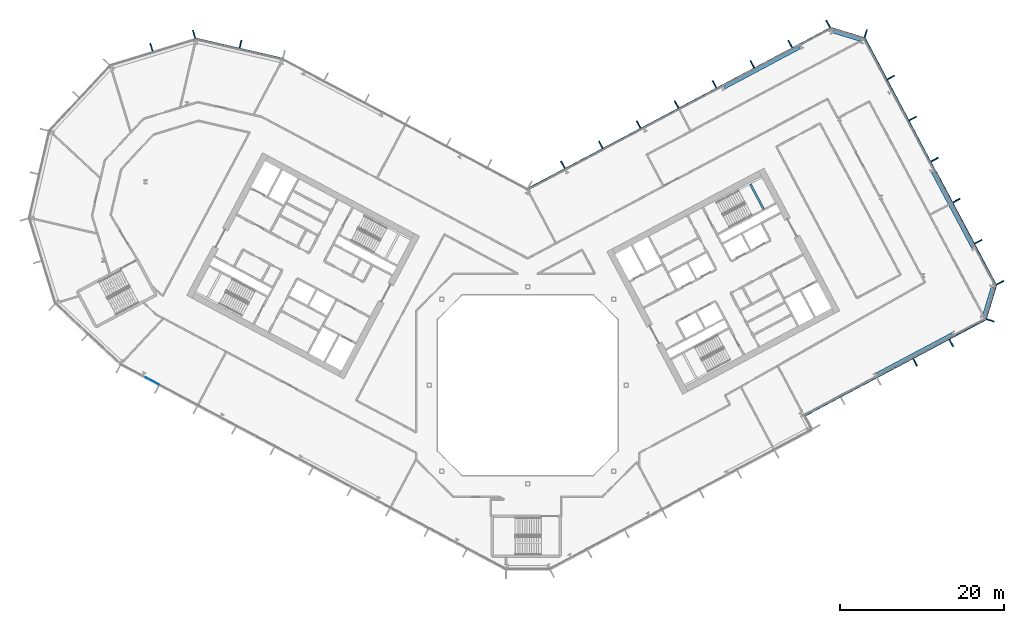
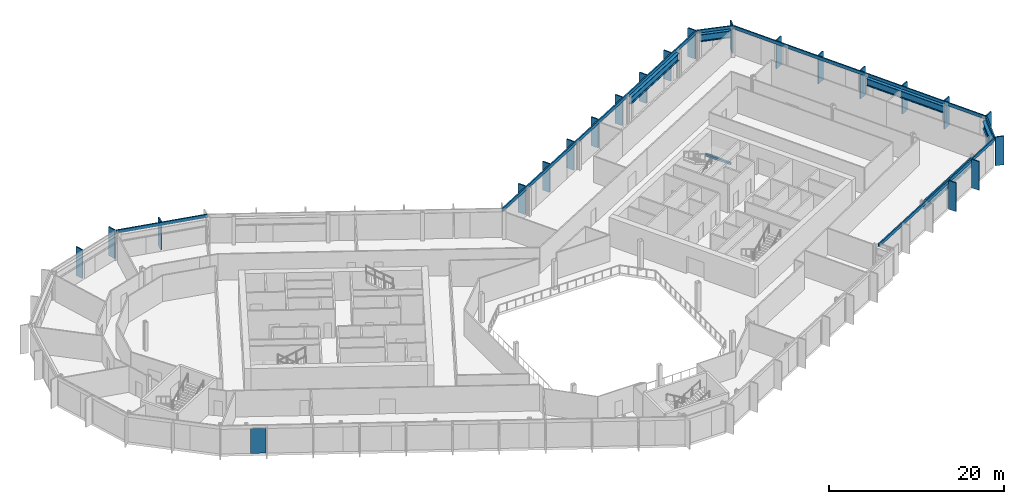
# One storey, part 10 of 28: 27 members, 6 beams, 1 plate, 8 elements without a shape of their own.
"""IFC4 building model written with IfcOpenShell, lengths in metres."""

from ifc_helpers import new_model, si_unit, direction, frame, origin, origin_2d, place, context, subcontext, project, spatial, rectangle, i_section, extrude, material, layer, layer_set, material_profile, profile_set, type_object, element, aggregate, save


model = new_model("IFC4")

# Units and contexts
model_context = context("Model", 3, precision=1e-05, world=origin(), true_north=direction((0.0, 1.0)))
body_context = subcontext(model_context, "Body", "Model", "MODEL_VIEW")
ifc_project = project(units=[si_unit("LENGTHUNIT", "METRE"), si_unit("AREAUNIT", "SQUARE_METRE"), si_unit("VOLUMEUNIT", "CUBIC_METRE"), si_unit("PLANEANGLEUNIT", "RADIAN"), si_unit("MASSUNIT", "GRAM", prefix="KILO")], contexts=[model_context])

# Site, building, storey
site_placement = place(None, origin())
site = spatial("IfcSite", under=ifc_project, at=site_placement, CompositionType="ELEMENT")
building_placement = place(site_placement, origin())
building = spatial("IfcBuilding", under=site, at=building_placement, Name="Cormorant Relay Tower", CompositionType="ELEMENT")
storey_placement = place(building_placement, frame((0.0, 0.0, 142.199951171875)))
storey = spatial("IfcBuildingStorey", under=building, at=storey_placement, Name="L29", CompositionType="ELEMENT", Elevation=142.199951171875)

# Curtain wall, members
ifc_material_1 = material(Name="Aluminium 6063-T6 anodised bronze", Category="aluminium")
ifc_layer_1 = layer(ifc_material_1, 0.199951171875)
ifc_layer_set_1 = layer_set([ifc_layer_1], Name="CW1 unitised bronze curtain wall with vertical fins")
curtain_wall_type = type_object("IfcCurtainWallType", Name="CW1 unitised bronze curtain wall with vertical fins", PredefinedType="NOTDEFINED", material=ifc_layer_set_1)
curtain_wall_1_placement = place(storey_placement, origin())
curtain_wall_1 = element("IfcCurtainWall", 1, at=curtain_wall_1_placement, inside=storey, type_object=curtain_wall_type, Name="CW1 curtain wall 4", PredefinedType="NOTDEFINED")
ifc_material_2 = material(Name="Aluminium 6063-T6 anodised bronze", Category="aluminium")
ifc_material_profile_1 = material_profile(ifc_material_2, rectangle(XDim=0.14990234375, YDim=1.0, at=origin_2d()), Name="AL 150x1000")
ifc_profile_set_1 = profile_set([ifc_material_profile_1], Name="Aluminium 6063-T6 anodised bronze")
member_type_1 = type_object("IfcMemberType", Name="CW1 bronze fin mullion 150 x 1000", PredefinedType="MULLION", material=ifc_profile_set_1)
member_1_placement = place(storey_placement, frame((47.21533203125, 2.793212890625, 0.0), z_axis=(0.0, 0.0, 1.0), x_axis=(0.882947592859, 0.469471562786, 0.0)))
member_1 = element("IfcMember", 2, at=member_1_placement, type_object=member_type_1, Name="CW1 fin 4.4", PredefinedType="MULLION", context=body_context, shape_type="SweptSolid", body=[
    extrude(rectangle(XDim=0.14990234375, YDim=1.0, at=origin_2d()), origin(), (0.0, 0.0, 1.0), 4.0),
])
member_2_placement = place(storey_placement, frame((51.630126953125, 5.140625, 0.0), z_axis=(0.0, 0.0, 1.0), x_axis=(0.882947592859, 0.469471562786, 0.0)))
member_2 = element("IfcMember", 3, at=member_2_placement, type_object=member_type_1, Name="CW1 fin 4.5", PredefinedType="MULLION", context=body_context, shape_type="SweptSolid", body=[
    extrude(rectangle(XDim=0.14990234375, YDim=1.0, at=origin_2d()), origin(), (0.0, 0.0, 1.0), 4.0),
])

# Curtain wall, member
curtain_wall_2_placement = place(storey_placement, origin())
curtain_wall_2 = element("IfcCurtainWall", 4, at=curtain_wall_2_placement, inside=storey, type_object=curtain_wall_type, Name="CW1 curtain wall 5", PredefinedType="NOTDEFINED")
member_3_placement = place(storey_placement, frame((56.385498046875, 7.9013671875, 0.0), z_axis=(0.0, 0.0, 1.0), x_axis=(0.292371704723, 0.956304755963, 0.0)))
member_3 = element("IfcMember", 5, at=member_3_placement, type_object=member_type_1, Name="CW1 fin 5.1", PredefinedType="MULLION", context=body_context, shape_type="SweptSolid", body=[
    extrude(rectangle(XDim=0.14990234375, YDim=1.0, at=origin_2d()), origin(), (0.0, 0.0, 1.0), 4.0),
])

# Curtain wall, members
curtain_wall_3_placement = place(storey_placement, origin())
curtain_wall_3 = element("IfcCurtainWall", 6, at=curtain_wall_3_placement, inside=storey, type_object=curtain_wall_type, Name="CW1 curtain wall 6", PredefinedType="NOTDEFINED")
member_4_placement = place(storey_placement, frame((57.57470703125, 12.491943359375, 0.0), z_axis=(0.0, 0.0, 1.0), x_axis=(-0.469471562786, 0.882947592859, 0.0)))
member_4 = element("IfcMember", 7, at=member_4_placement, type_object=member_type_1, Name="CW1 fin 6.1", PredefinedType="MULLION", context=body_context, shape_type="SweptSolid", body=[
    extrude(rectangle(XDim=0.14990234375, YDim=1.0, at=origin_2d()), origin(), (0.0, 0.0, 1.0), 4.0),
])
member_5_placement = place(storey_placement, frame((54.914306640625, 17.4951171875, 0.0), z_axis=(0.0, 0.0, 1.0), x_axis=(-0.469471562786, 0.882947592859, 0.0)))
member_5 = element("IfcMember", 8, at=member_5_placement, type_object=member_type_1, Name="CW1 fin 6.2", PredefinedType="MULLION", context=body_context, shape_type="SweptSolid", body=[
    extrude(rectangle(XDim=0.14990234375, YDim=1.0, at=origin_2d()), origin(), (0.0, 0.0, 1.0), 4.0),
])
member_6_placement = place(storey_placement, frame((52.25390625, 22.49853515625, 0.0), z_axis=(0.0, 0.0, 1.0), x_axis=(-0.469471562786, 0.882947592859, 0.0)))
member_6 = element("IfcMember", 9, at=member_6_placement, type_object=member_type_1, Name="CW1 fin 6.3", PredefinedType="MULLION", context=body_context, shape_type="SweptSolid", body=[
    extrude(rectangle(XDim=0.14990234375, YDim=1.0, at=origin_2d()), origin(), (0.0, 0.0, 1.0), 4.0),
])
member_7_placement = place(storey_placement, frame((49.59375, 27.501953125, 0.0), z_axis=(0.0, 0.0, 1.0), x_axis=(-0.469471562786, 0.882947592859, 0.0)))
member_7 = element("IfcMember", 10, at=member_7_placement, type_object=member_type_1, Name="CW1 fin 6.4", PredefinedType="MULLION", context=body_context, shape_type="SweptSolid", body=[
    extrude(rectangle(XDim=0.14990234375, YDim=1.0, at=origin_2d()), origin(), (0.0, 0.0, 1.0), 4.0),
])
member_8_placement = place(storey_placement, frame((46.933349609375, 32.50537109375, 0.0), z_axis=(0.0, 0.0, 1.0), x_axis=(-0.469471562786, 0.882947592859, 0.0)))
member_8 = element("IfcMember", 11, at=member_8_placement, type_object=member_type_1, Name="CW1 fin 6.5", PredefinedType="MULLION", context=body_context, shape_type="SweptSolid", body=[
    extrude(rectangle(XDim=0.14990234375, YDim=1.0, at=origin_2d()), origin(), (0.0, 0.0, 1.0), 4.0),
])
member_9_placement = place(storey_placement, frame((44.27294921875, 37.5087890625, 0.0), z_axis=(0.0, 0.0, 1.0), x_axis=(-0.469471562786, 0.882947592859, 0.0)))
member_9 = element("IfcMember", 12, at=member_9_placement, type_object=member_type_1, Name="CW1 fin 6.6", PredefinedType="MULLION", context=body_context, shape_type="SweptSolid", body=[
    extrude(rectangle(XDim=0.14990234375, YDim=1.0, at=origin_2d()), origin(), (0.0, 0.0, 1.0), 4.0),
])

# Curtain wall, member
curtain_wall_4_placement = place(storey_placement, origin())
curtain_wall_4 = element("IfcCurtainWall", 13, at=curtain_wall_4_placement, inside=storey, type_object=curtain_wall_type, Name="CW1 curtain wall 7", PredefinedType="NOTDEFINED")
member_10_placement = place(storey_placement, frame((41.19921875, 42.852783203125, 0.0), z_axis=(0.0, 0.0, 1.0), x_axis=(-0.956304755963, 0.292371704723, 0.0)))
member_10 = element("IfcMember", 14, at=member_10_placement, type_object=member_type_1, Name="CW1 fin 7.1", PredefinedType="MULLION", context=body_context, shape_type="SweptSolid", body=[
    extrude(rectangle(XDim=0.14990234375, YDim=1.0, at=origin_2d()), origin(), (0.0, 0.0, 1.0), 4.0),
])

# Curtain wall, members
curtain_wall_5_placement = place(storey_placement, origin())
curtain_wall_5 = element("IfcCurtainWall", 15, at=curtain_wall_5_placement, inside=storey, type_object=curtain_wall_type, Name="CW1 curtain wall 8", PredefinedType="NOTDEFINED")
member_11_placement = place(storey_placement, frame((36.608642578125, 44.0419921875, 0.0), z_axis=(0.0, 0.0, 1.0), x_axis=(-0.882947592859, -0.469471562786, 0.0)))
member_11 = element("IfcMember", 16, at=member_11_placement, type_object=member_type_1, Name="CW1 fin 8.1", PredefinedType="MULLION", context=body_context, shape_type="SweptSolid", body=[
    extrude(rectangle(XDim=0.14990234375, YDim=1.0, at=origin_2d()), origin(), (0.0, 0.0, 1.0), 4.0),
])
member_12_placement = place(storey_placement, frame((31.991455078125, 41.5869140625, 0.0), z_axis=(0.0, 0.0, 1.0), x_axis=(-0.882947592859, -0.469471562786, 0.0)))
member_12 = element("IfcMember", 17, at=member_12_placement, type_object=member_type_1, Name="CW1 fin 8.2", PredefinedType="MULLION", context=body_context, shape_type="SweptSolid", body=[
    extrude(rectangle(XDim=0.14990234375, YDim=1.0, at=origin_2d()), origin(), (0.0, 0.0, 1.0), 4.0),
])
member_13_placement = place(storey_placement, frame((27.37451171875, 39.132080078125, 0.0), z_axis=(0.0, 0.0, 1.0), x_axis=(-0.882947592859, -0.469471562786, 0.0)))
member_13 = element("IfcMember", 18, at=member_13_placement, type_object=member_type_1, Name="CW1 fin 8.3", PredefinedType="MULLION", context=body_context, shape_type="SweptSolid", body=[
    extrude(rectangle(XDim=0.14990234375, YDim=1.0, at=origin_2d()), origin(), (0.0, 0.0, 1.0), 4.0),
])
member_14_placement = place(storey_placement, frame((22.757080078125, 36.677001953125, 0.0), z_axis=(0.0, 0.0, 1.0), x_axis=(-0.882947592859, -0.469471562786, 0.0)))
member_14 = element("IfcMember", 19, at=member_14_placement, type_object=member_type_1, Name="CW1 fin 8.4", PredefinedType="MULLION", context=body_context, shape_type="SweptSolid", body=[
    extrude(rectangle(XDim=0.14990234375, YDim=1.0, at=origin_2d()), origin(), (0.0, 0.0, 1.0), 4.0),
])
member_15_placement = place(storey_placement, frame((18.139892578125, 34.221923828125, 0.0), z_axis=(0.0, 0.0, 1.0), x_axis=(-0.882947592859, -0.469471562786, 0.0)))
member_15 = element("IfcMember", 20, at=member_15_placement, type_object=member_type_1, Name="CW1 fin 8.5", PredefinedType="MULLION", context=body_context, shape_type="SweptSolid", body=[
    extrude(rectangle(XDim=0.14990234375, YDim=1.0, at=origin_2d()), origin(), (0.0, 0.0, 1.0), 4.0),
])
member_16_placement = place(storey_placement, frame((13.52294921875, 31.76708984375, 0.0), z_axis=(0.0, 0.0, 1.0), x_axis=(-0.882947592859, -0.469471562786, 0.0)))
member_16 = element("IfcMember", 21, at=member_16_placement, type_object=member_type_1, Name="CW1 fin 8.6", PredefinedType="MULLION", context=body_context, shape_type="SweptSolid", body=[
    extrude(rectangle(XDim=0.14990234375, YDim=1.0, at=origin_2d()), origin(), (0.0, 0.0, 1.0), 4.0),
])
member_17_placement = place(storey_placement, frame((8.90576171875, 29.31201171875, 0.0), z_axis=(0.0, 0.0, 1.0), x_axis=(-0.882947592859, -0.469471562786, 0.0)))
member_17 = element("IfcMember", 22, at=member_17_placement, type_object=member_type_1, Name="CW1 fin 8.7", PredefinedType="MULLION", context=body_context, shape_type="SweptSolid", body=[
    extrude(rectangle(XDim=0.14990234375, YDim=1.0, at=origin_2d()), origin(), (0.0, 0.0, 1.0), 4.0),
])
member_18_placement = place(storey_placement, frame((4.28857421875, 26.85693359375, 0.0), z_axis=(0.0, 0.0, 1.0), x_axis=(-0.882947592859, -0.469471562786, 0.0)))
member_18 = element("IfcMember", 23, at=member_18_placement, type_object=member_type_1, Name="CW1 fin 8.8", PredefinedType="MULLION", context=body_context, shape_type="SweptSolid", body=[
    extrude(rectangle(XDim=0.14990234375, YDim=1.0, at=origin_2d()), origin(), (0.0, 0.0, 1.0), 4.0),
])

# Curtain wall, member
curtain_wall_6_placement = place(storey_placement, origin())
curtain_wall_6 = element("IfcCurtainWall", 24, at=curtain_wall_6_placement, inside=storey, type_object=curtain_wall_type, Name="CW1 curtain wall 10", PredefinedType="NOTDEFINED")
member_19_placement = place(storey_placement, frame((-35.01220703125, 41.57275390625, 0.0), z_axis=(0.0, 0.0, 1.0), x_axis=(-0.974370064785, 0.224951054344, 0.0)))
member_19 = element("IfcMember", 25, at=member_19_placement, type_object=member_type_1, Name="CW1 fin 10.2", PredefinedType="MULLION", context=body_context, shape_type="SweptSolid", body=[
    extrude(rectangle(XDim=0.14990234375, YDim=1.0, at=origin_2d()), origin(), (0.0, 0.0, 1.0), 4.0),
])

# Curtain wall, members
curtain_wall_7_placement = place(storey_placement, origin())
curtain_wall_7 = element("IfcCurtainWall", 26, at=curtain_wall_7_placement, inside=storey, type_object=curtain_wall_type, Name="CW1 curtain wall 11", PredefinedType="NOTDEFINED")
member_20_placement = place(storey_placement, frame((-40.670166015625, 42.78271484375, 0.0), z_axis=(0.0, 0.0, 1.0), x_axis=(-0.956304755963, -0.292371704723, 0.0)))
member_20 = element("IfcMember", 27, at=member_20_placement, type_object=member_type_1, Name="CW1 fin 11.1", PredefinedType="MULLION", context=body_context, shape_type="SweptSolid", body=[
    extrude(rectangle(XDim=0.14990234375, YDim=1.0, at=origin_2d()), origin(), (0.0, 0.0, 1.0), 4.0),
])
member_21_placement = place(storey_placement, frame((-45.867919921875, 41.193603515625, 0.0), z_axis=(0.0, 0.0, 1.0), x_axis=(-0.956304755963, -0.292371704723, 0.0)))
member_21 = element("IfcMember", 28, at=member_21_placement, type_object=member_type_1, Name="CW1 fin 11.2", PredefinedType="MULLION", context=body_context, shape_type="SweptSolid", body=[
    extrude(rectangle(XDim=0.14990234375, YDim=1.0, at=origin_2d()), origin(), (0.0, 0.0, 1.0), 4.0),
])
aggregate(curtain_wall_7, [member_20, member_21])

# Member
ifc_material_3 = material(Name="Aluminium 6063-T6 anodised bronze", Category="aluminium")
ifc_material_profile_2 = material_profile(ifc_material_3, rectangle(XDim=0.159912109375, YDim=0.449951171875, at=origin_2d()), Name="AL 160x450")
ifc_profile_set_2 = profile_set([ifc_material_profile_2], Name="Aluminium 6063-T6 anodised bronze")
member_type_2 = type_object("IfcMemberType", Name="CW1 bronze transom 160 x 450", PredefinedType="USERDEFINED", material=ifc_profile_set_2)
member_22_placement = place(storey_placement, frame((33.69873046875, -3.73681640625, 3.775146484375), z_axis=(0.88294749795, 0.469471741284, 0.0), x_axis=(-0.469471741284, 0.88294749795, 0.0)))
member_22 = element("IfcMember", 29, at=member_22_placement, type_object=member_type_2, Name="CW1 transom 4", ObjectType="TRANSOM", PredefinedType="USERDEFINED", context=body_context, shape_type="SweptSolid", body=[
    extrude(rectangle(XDim=0.159912109375, YDim=0.449951171875, at=origin_2d()), origin(), (0.0, 0.0, 1.0), 25.0),
])

aggregate(curtain_wall_1, [member_1, member_2, member_22])

member_23_placement = place(storey_placement, frame((55.830810546875, 8.07080078125, 3.775146484375), z_axis=(0.292374957137, 0.956303761594, 0.0), x_axis=(-0.956303761594, 0.292374957137, 0.0)))
member_23 = element("IfcMember", 30, at=member_23_placement, type_object=member_type_2, Name="CW1 transom 5", ObjectType="TRANSOM", PredefinedType="USERDEFINED", context=body_context, shape_type="SweptSolid", body=[
    extrude(rectangle(XDim=0.159912109375, YDim=0.449951171875, at=origin_2d()), origin(), (0.0, 0.0, 1.0), 4.24267578125),
])

aggregate(curtain_wall_2, [member_3, member_23])

member_24_placement = place(storey_placement, frame((57.0625, 12.219482421875, 3.775146484375), z_axis=(-0.469468277635, 0.882949339597, 0.0), x_axis=(-0.882949339597, -0.469468277635, 0.0)))
member_24 = element("IfcMember", 31, at=member_24_placement, type_object=member_type_2, Name="CW1 transom 6", ObjectType="TRANSOM", PredefinedType="USERDEFINED", context=body_context, shape_type="SweptSolid", body=[
    extrude(rectangle(XDim=0.159912109375, YDim=0.449951171875, at=origin_2d()), origin(), (0.0, 0.0, 1.0), 34.0),
])

aggregate(curtain_wall_3, [member_4, member_5, member_6, member_7, member_8, member_9, member_24])

member_25_placement = place(storey_placement, frame((41.02978515625, 42.298095703125, 3.775146484375), z_axis=(-0.956303761594, 0.292374957137, 0.0), x_axis=(-0.292374957137, -0.956303761594, 0.0)))
member_25 = element("IfcMember", 32, at=member_25_placement, type_object=member_type_2, Name="CW1 transom 7", ObjectType="TRANSOM", PredefinedType="USERDEFINED", context=body_context, shape_type="SweptSolid", body=[
    extrude(rectangle(XDim=0.159912109375, YDim=0.449951171875, at=origin_2d()), origin(), (0.0, 0.0, 1.0), 4.24267578125),
])

aggregate(curtain_wall_4, [member_10, member_25])

member_26_placement = place(storey_placement, frame((36.881103515625, 43.52978515625, 3.775146484375), z_axis=(-0.88294882701, -0.469469241677, 0.0), x_axis=(0.469469241677, -0.88294882701, 0.0)))
member_26 = element("IfcMember", 33, at=member_26_placement, type_object=member_type_2, Name="CW1 transom 8", ObjectType="TRANSOM", PredefinedType="USERDEFINED", context=body_context, shape_type="SweptSolid", body=[
    extrude(rectangle(XDim=0.159912109375, YDim=0.449951171875, at=origin_2d()), origin(), (0.0, 0.0, 1.0), 41.834228515625),
])

aggregate(curtain_wall_5, [member_11, member_12, member_13, member_14, member_15, member_16, member_17, member_18, member_26])

member_27_placement = place(storey_placement, frame((-29.8466796875, 39.784912109375, 3.775146484375), z_axis=(-0.974365070969, 0.224972683844, 0.0), x_axis=(-0.224972683844, -0.974365070969, 0.0)))
member_27 = element("IfcMember", 34, at=member_27_placement, type_object=member_type_2, Name="CW1 transom 10", ObjectType="TRANSOM", PredefinedType="USERDEFINED", context=body_context, shape_type="SweptSolid", body=[
    extrude(rectangle(XDim=0.159912109375, YDim=0.449951171875, at=origin_2d()), origin(), (0.0, 0.0, 1.0), 10.870361328125),
])

aggregate(curtain_wall_6, [member_19, member_27])

# Beams
ifc_material_4 = material(Name="Steel ASTM A992 (Fy 345 MPa)", Category="steel")
ifc_material_profile_3 = material_profile(ifc_material_4, i_section(OverallWidth=0.4013671875, OverallDepth=1.000732421875, WebThickness=0.01904296875, FlangeThickness=0.0361328125, FilletRadius=0.02978515625, at=origin_2d()), Name="W1000x371")
ifc_profile_set_3 = profile_set([ifc_material_profile_3], Name="Steel ASTM A992 (Fy 345 MPa)")
beam_type_1 = type_object("IfcBeamType", Name="Spandrel W1000x371", PredefinedType="SPANDREL", material=ifc_profile_set_3)
beam_1_placement = place(storey_placement, frame((42.5595703125, 1.337890625, 3.1396484375), z_axis=(0.882955922346, 0.469455896963, 0.0), x_axis=(-0.469455896963, 0.882955922346, 0.0)))
element("IfcBeam", 35, at=beam_1_placement, inside=storey, type_object=beam_type_1, Name="Spandrel beam L29-004", PredefinedType="SPANDREL", context=body_context, shape_type="SweptSolid", body=[
    extrude(i_section(OverallWidth=0.4013671875, OverallDepth=1.000732421875, WebThickness=0.01904296875, FlangeThickness=0.0361328125, FilletRadius=0.02978515625, at=origin_2d()), origin(), (0.0, 0.0, 1.0), 10.388427734375),
])
beam_2_placement = place(storey_placement, frame((55.62548828125, 8.495849609375, 3.1396484375), z_axis=(0.29237248799, 0.956304516494, 0.0), x_axis=(-0.956304516494, 0.29237248799, 0.0)))
element("IfcBeam", 36, at=beam_2_placement, inside=storey, type_object=beam_type_1, Name="Spandrel beam L29-005", PredefinedType="SPANDREL", context=body_context, shape_type="SweptSolid", body=[
    extrude(i_section(OverallWidth=0.4013671875, OverallDepth=1.000732421875, WebThickness=0.01904296875, FlangeThickness=0.0361328125, FilletRadius=0.02978515625, at=origin_2d()), origin(), (0.0, 0.0, 1.0), 3.585693359375),
])
beam_3_placement = place(storey_placement, frame((54.24169921875, 16.841796875, 3.1396484375), z_axis=(-0.469474218299, 0.882946180893, 0.0), x_axis=(-0.882946180893, -0.469474218299, 0.0)))
element("IfcBeam", 37, at=beam_3_placement, inside=storey, type_object=beam_type_1, Name="Spandrel beam L29-006", PredefinedType="SPANDREL", context=body_context, shape_type="SweptSolid", body=[
    extrude(i_section(OverallWidth=0.4013671875, OverallDepth=1.000732421875, WebThickness=0.01904296875, FlangeThickness=0.0361328125, FilletRadius=0.02978515625, at=origin_2d()), origin(), (0.0, 0.0, 1.0), 10.388671875),
])
beam_4_placement = place(storey_placement, frame((40.605224609375, 42.0927734375, 3.1396484375), z_axis=(-0.956311914022, 0.292348290742, 0.0), x_axis=(-0.292348290742, -0.956311914022, 0.0)))
element("IfcBeam", 38, at=beam_4_placement, inside=storey, type_object=beam_type_1, Name="Spandrel beam L29-007", PredefinedType="SPANDREL", context=body_context, shape_type="SweptSolid", body=[
    extrude(i_section(OverallWidth=0.4013671875, OverallDepth=1.000732421875, WebThickness=0.01904296875, FlangeThickness=0.0361328125, FilletRadius=0.02978515625, at=origin_2d()), origin(), (0.0, 0.0, 1.0), 3.585205078125),
])
beam_5_placement = place(storey_placement, frame((33.141357421875, 41.17822265625, 3.1396484375), z_axis=(-0.882955922346, -0.469455896963, 0.0), x_axis=(0.469455896963, -0.882955922346, 0.0)))
element("IfcBeam", 39, at=beam_5_placement, inside=storey, type_object=beam_type_1, Name="Spandrel beam L29-008", PredefinedType="SPANDREL", context=body_context, shape_type="SweptSolid", body=[
    extrude(i_section(OverallWidth=0.4013671875, OverallDepth=1.000732421875, WebThickness=0.01904296875, FlangeThickness=0.0361328125, FilletRadius=0.02978515625, at=origin_2d()), origin(), (0.0, 0.0, 1.0), 10.388427734375),
])
ifc_material_5 = material(Name="Concrete 50 MPa", Category="concrete")
ifc_material_profile_4 = material_profile(ifc_material_5, rectangle(XDim=0.25, YDim=0.300048828125, at=origin_2d()), Name="RC 250x300")
ifc_profile_set_4 = profile_set([ifc_material_profile_4], Name="Concrete 50 MPa")
beam_type_2 = type_object("IfcBeamType", Name="Stair landing ledge beam 250x300", PredefinedType="BEAM", material=ifc_profile_set_4)
beam_6_placement = place(storey_placement, frame((28.755126953125, 21.4619140625, 1.650146484375), z_axis=(-0.469463917486, 0.882951657895, 0.0), x_axis=(-0.882951657895, -0.469463917486, 0.0)))
element("IfcBeam", 40, at=beam_6_placement, inside=storey, type_object=beam_type_2, Name="B2 landing ledge beam", PredefinedType="BEAM", context=body_context, shape_type="SweptSolid", body=[
    extrude(rectangle(XDim=0.25, YDim=0.300048828125, at=origin_2d()), origin(), (0.0, 0.0, 1.0), 3.449951171875),
])

# Curtain wall, plate
curtain_wall_8_placement = place(storey_placement, origin())
curtain_wall_8 = element("IfcCurtainWall", 41, at=curtain_wall_8_placement, inside=storey, type_object=curtain_wall_type, Name="CW1 curtain wall 16", PredefinedType="NOTDEFINED")
ifc_material_6 = material(Name="Tinted laminated glass", Category="glass")
ifc_layer_2 = layer(ifc_material_6, 0.0400390625)
ifc_layer_set_2 = layer_set([ifc_layer_2], Name="CW1 tinted vision panel 1800 module")
plate_type = type_object("IfcPlateType", Name="CW1 tinted vision panel 1800 module", PredefinedType="CURTAIN_PANEL", material=ifc_layer_set_2)
plate_placement = place(storey_placement, frame((-45.767578125, 0.5283203125, 0.0), z_axis=(0.0, 0.0, 1.0), x_axis=(0.882947592859, -0.469471562786, 0.0)))
plate = element("IfcPlate", 42, at=plate_placement, type_object=plate_type, Name="CW1 panel V01", PredefinedType="CURTAIN_PANEL", context=body_context, shape_type="SweptSolid", body=[
    extrude(rectangle(XDim=1.800048828125, YDim=0.0400390625, at=origin_2d()), origin(), (0.0, 0.0, 1.0), 3.550048828125),
])
aggregate(curtain_wall_8, [plate])

save(model, "model.ifc")
